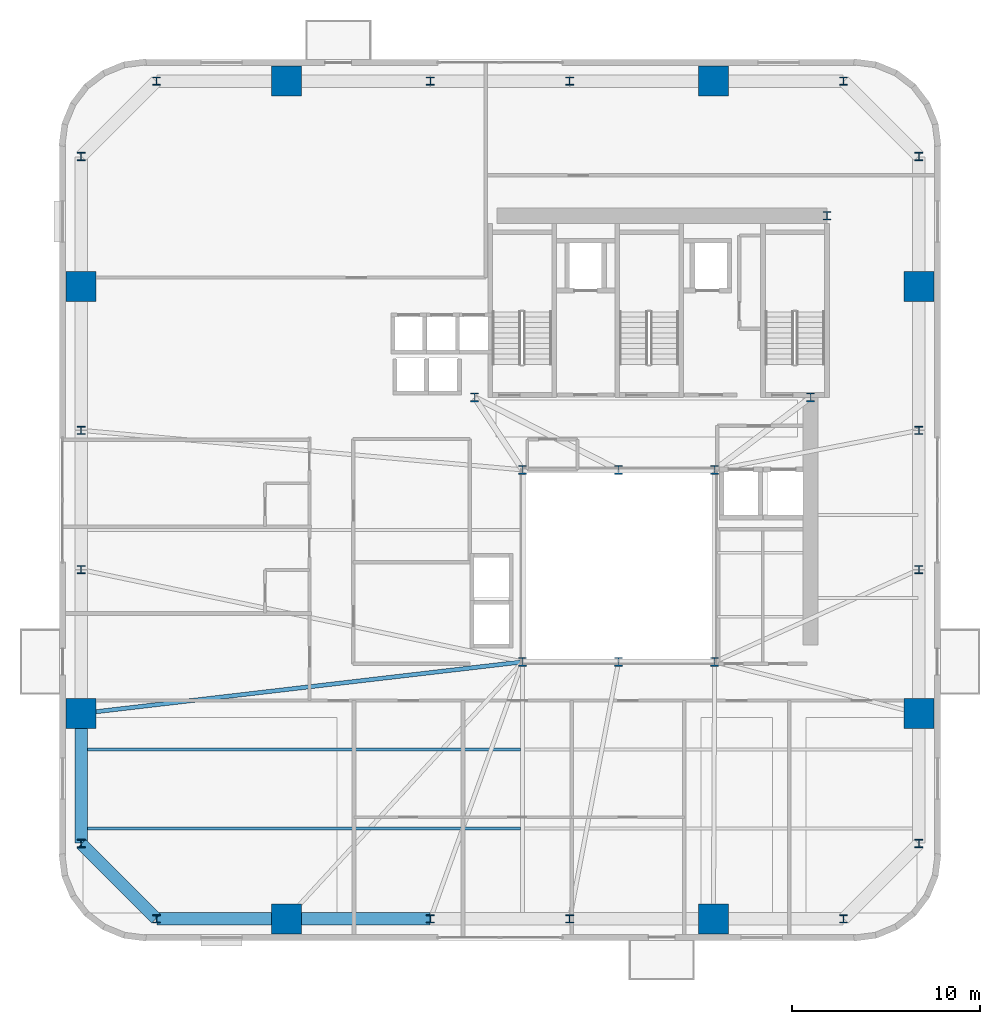
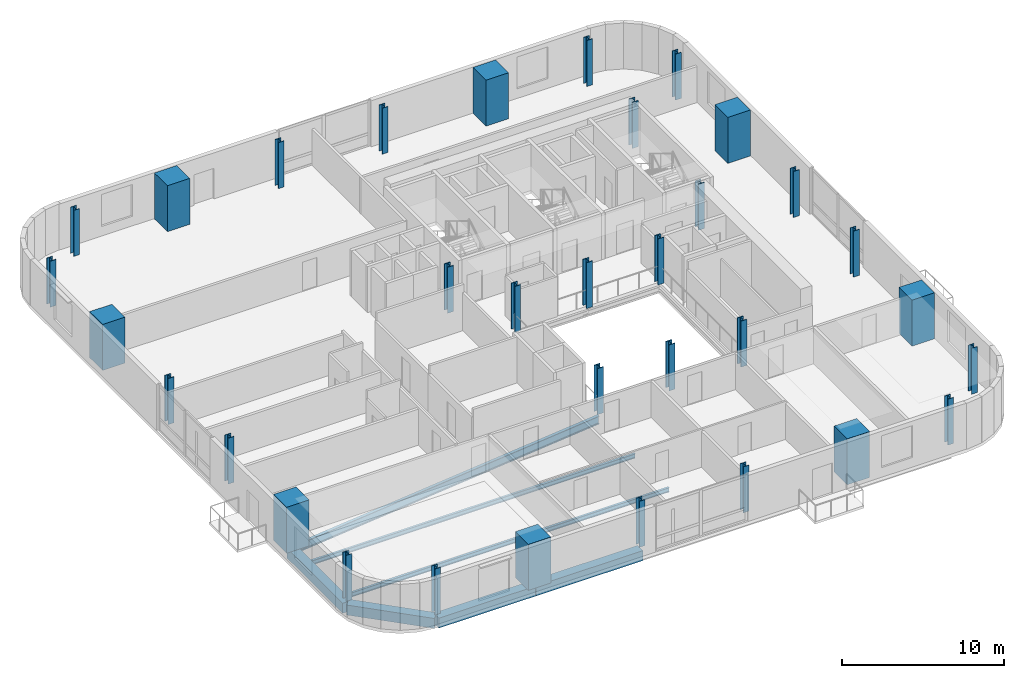
# One storey, part 1 of 14: 33 columns, 7 beams.
"""IFC4 building model written with IfcOpenShell, lengths in metres."""

from ifc_helpers import new_model, si_unit, direction, frame, origin, origin_2d, place, context, subcontext, project, spatial, rectangle, i_section, extrude, source, transform, mapped, material, material_profile, profile_set, type_object, element, save


model = new_model("IFC4")

# Units and contexts
model_context = context("Model", 3, precision=1e-05, world=origin(), true_north=direction((0.0, 1.0)))
body_context = subcontext(model_context, "Body", "Model", "MODEL_VIEW")
ifc_project = project(units=[si_unit("LENGTHUNIT", "METRE"), si_unit("AREAUNIT", "SQUARE_METRE"), si_unit("VOLUMEUNIT", "CUBIC_METRE"), si_unit("PLANEANGLEUNIT", "RADIAN"), si_unit("MASSUNIT", "GRAM", prefix="KILO")], contexts=[model_context])

# Site, building, storey
site_placement = place(None, origin())
site = spatial("IfcSite", under=ifc_project, at=site_placement, CompositionType="ELEMENT")
building_placement = place(site_placement, origin())
building = spatial("IfcBuilding", under=site, at=building_placement, Name="Vardaveli Station Tower", CompositionType="ELEMENT")
storey_placement = place(building_placement, frame((0.0, 0.0, 144.60009765625)))
storey = spatial("IfcBuildingStorey", under=building, at=storey_placement, Name="L37", CompositionType="ELEMENT", Elevation=144.60009765625)

# Columns
ifc_material_1 = material(Name="Structural steel S460M", Category="steel")
ifc_material_profile_1 = material_profile(ifc_material_1, i_section(OverallWidth=0.424072265625, OverallDepth=0.465087890625, WebThickness=0.034912109375, FlangeThickness=0.055908203125, FilletRadius=0.014892578125, at=origin_2d()), Name="HD 400x592")
ifc_profile_set_1 = profile_set([ifc_material_profile_1], Name="Structural steel S460M")
column_type_1 = type_object("IfcColumnType", Name="COL-HD592", PredefinedType="COLUMN", material=ifc_profile_set_1)
shared_shape_1 = source(origin(), body_context, "Body", "SweptSolid", [
    extrude(i_section(OverallWidth=0.424072265625, OverallDepth=0.465087890625, WebThickness=0.034912109375, FlangeThickness=0.055908203125, FilletRadius=0.014892578125, at=origin_2d()), origin(), (0.0, 0.0, 1.0), 3.4599609375),
])
for number, where, z_axis, x_axis, name in (
    (1, (31.199951171875, 16.60009765625, 0.0), (0.0, 0.0, 1.0), (1.0, 0.0, 0.0), "COL-L37-AC1"),
    (2, (36.300048828125, 16.60009765625, 0.0), (0.0, 0.0, 1.0), (1.0, 0.0, 0.0), "COL-L37-AC2"),
    (3, (41.39990234375, 16.60009765625, 0.0), (0.0, 0.0, 1.0), (1.0, 0.0, 0.0), "COL-L37-AC3"),
    (4, (41.39990234375, 26.800048828125, 0.0), (0.0, 0.0, 1.0), (1.0, 0.0, 0.0), "COL-L37-AC4"),
    (5, (36.300048828125, 26.800048828125, 0.0), (0.0, 0.0, 1.0), (1.0, 0.0, 0.0), "COL-L37-AC5"),
    (6, (31.199951171875, 26.800048828125, 0.0), (0.0, 0.0, 1.0), (1.0, 0.0, 0.0), "COL-L37-AC6"),
    (7, (28.64990234375, 30.64990234375, 0.0), (0.0, 0.0, 1.0), (1.0, 0.0, 0.0), "COL-L37-CC1"),
    (8, (46.5, 30.64990234375, 0.0), (0.0, 0.0, 1.0), (1.0, 0.0, 0.0), "COL-L37-CC2"),
    (9, (47.3701171875, 40.300048828125, 0.0), (0.0, 0.0, 1.0), (1.0, 0.0, 0.0), "COL-L37-CC3"),
):
    element("IfcColumn", number, at=place(storey_placement, frame(where, z_axis=z_axis, x_axis=x_axis)), inside=storey, type_object=column_type_1, Name=name, PredefinedType="COLUMN", context=body_context, shape_type="MappedRepresentation", body=[
        mapped(shared_shape_1, transform((0.0, 0.0, 0.0), scale=1.0)),
    ])
ifc_material_2 = material(Name="Concrete C60/75", Category="concrete")
ifc_material_profile_2 = material_profile(ifc_material_2, rectangle(XDim=1.60009765625, YDim=1.60009765625, at=origin_2d()), Name="MC 1600x1600")
ifc_profile_set_2 = profile_set([ifc_material_profile_2], Name="Concrete C60/75")
column_type_2 = type_object("IfcColumnType", Name="COL-MC-1600", PredefinedType="COLUMN", material=ifc_profile_set_2)
shared_shape_2 = source(origin(), body_context, "Body", "SweptSolid", [
    extrude(rectangle(XDim=1.60009765625, YDim=1.60009765625, at=origin_2d()), origin(), (0.0, 0.0, 1.0), 3.4599609375),
])
for number, where, z_axis, x_axis, name in (
    (10, (18.659912109375, 2.949951171875, 0.0), (0.0, 0.0, 1.0), (1.0, 0.0, 0.0), "COL-L37-MC1"),
    (11, (41.340087890625, 2.949951171875, 0.0), (0.0, 0.0, 1.0), (1.0, 0.0, 0.0), "COL-L37-MC2"),
    (12, (52.25, 13.860107421875, 0.0), (0.0, 0.0, 1.0), (1.0, 0.0, 0.0), "COL-L37-MC3"),
    (13, (52.25, 36.5400390625, 0.0), (0.0, 0.0, 1.0), (1.0, 0.0, 0.0), "COL-L37-MC4"),
    (14, (41.340087890625, 47.449951171875, 0.0), (0.0, 0.0, 1.0), (1.0, 0.0, 0.0), "COL-L37-MC5"),
    (15, (18.659912109375, 47.449951171875, 0.0), (0.0, 0.0, 1.0), (1.0, 0.0, 0.0), "COL-L37-MC6"),
    (16, (7.75, 36.5400390625, 0.0), (0.0, 0.0, 1.0), (1.0, 0.0, 0.0), "COL-L37-MC7"),
    (17, (7.75, 13.860107421875, 0.0), (0.0, 0.0, 1.0), (1.0, 0.0, 0.0), "COL-L37-MC8"),
):
    element("IfcColumn", number, at=place(storey_placement, frame(where, z_axis=z_axis, x_axis=x_axis)), inside=storey, type_object=column_type_2, Name=name, PredefinedType="COLUMN", context=body_context, shape_type="MappedRepresentation", body=[
        mapped(shared_shape_2, transform((0.0, 0.0, 0.0), scale=1.0)),
    ])
ifc_material_profile_3 = material_profile(ifc_material_1, i_section(OverallWidth=0.4140625, OverallDepth=0.431884765625, WebThickness=0.025634765625, FlangeThickness=0.0400390625, FilletRadius=0.014892578125, at=origin_2d()), Name="HD 400x421")
ifc_profile_set_3 = profile_set([ifc_material_profile_3], Name="Structural steel S460M")
column_type_3 = type_object("IfcColumnType", Name="COL-HD421", PredefinedType="COLUMN", material=ifc_profile_set_3)
shared_shape_3 = source(origin(), body_context, "Body", "SweptSolid", [
    extrude(i_section(OverallWidth=0.4140625, OverallDepth=0.431884765625, WebThickness=0.025634765625, FlangeThickness=0.0400390625, FilletRadius=0.014892578125, at=origin_2d()), origin(), (0.0, 0.0, 1.0), 3.4599609375),
])
for number, where, z_axis, x_axis, name in (
    (18, (11.75, 2.949951171875, 0.0), (0.0, 0.0, 1.0), (1.0, 0.0, 0.0), "COL-L37-PC01"),
    (19, (26.300048828125, 2.949951171875, 0.0), (0.0, 0.0, 1.0), (1.0, 0.0, 0.0), "COL-L37-PC02"),
    (20, (33.699951171875, 2.949951171875, 0.0), (0.0, 0.0, 1.0), (1.0, 0.0, 0.0), "COL-L37-PC03"),
    (21, (48.25, 2.949951171875, 0.0), (0.0, 0.0, 1.0), (1.0, 0.0, 0.0), "COL-L37-PC04"),
    (22, (52.25, 6.949951171875, 0.0), (0.0, 0.0, 1.0), (1.0, 0.0, 0.0), "COL-L37-PC05"),
    (23, (52.25, 21.5, 0.0), (0.0, 0.0, 1.0), (1.0, 0.0, 0.0), "COL-L37-PC06"),
    (24, (52.25, 28.89990234375, 0.0), (0.0, 0.0, 1.0), (1.0, 0.0, 0.0), "COL-L37-PC07"),
    (25, (52.25, 43.449951171875, 0.0), (0.0, 0.0, 1.0), (1.0, 0.0, 0.0), "COL-L37-PC08"),
    (26, (48.25, 47.449951171875, 0.0), (0.0, 0.0, 1.0), (1.0, 0.0, 0.0), "COL-L37-PC09"),
    (27, (33.699951171875, 47.449951171875, 0.0), (0.0, 0.0, 1.0), (1.0, 0.0, 0.0), "COL-L37-PC10"),
    (28, (26.300048828125, 47.449951171875, 0.0), (0.0, 0.0, 1.0), (1.0, 0.0, 0.0), "COL-L37-PC11"),
    (29, (11.75, 47.449951171875, 0.0), (0.0, 0.0, 1.0), (1.0, 0.0, 0.0), "COL-L37-PC12"),
    (30, (7.75, 43.449951171875, 0.0), (0.0, 0.0, 1.0), (1.0, 0.0, 0.0), "COL-L37-PC13"),
    (31, (7.75, 28.89990234375, 0.0), (0.0, 0.0, 1.0), (1.0, 0.0, 0.0), "COL-L37-PC14"),
    (32, (7.75, 21.5, 0.0), (0.0, 0.0, 1.0), (1.0, 0.0, 0.0), "COL-L37-PC15"),
    (33, (7.75, 6.949951171875, 0.0), (0.0, 0.0, 1.0), (1.0, 0.0, 0.0), "COL-L37-PC16"),
):
    element("IfcColumn", number, at=place(storey_placement, frame(where, z_axis=z_axis, x_axis=x_axis)), inside=storey, type_object=column_type_3, Name=name, PredefinedType="COLUMN", context=body_context, shape_type="MappedRepresentation", body=[
        mapped(shared_shape_3, transform((0.0, 0.0, 0.0), scale=1.0)),
    ])

# Beams
ifc_material_3 = material(Name="Precast concrete C45/55", Category="concrete")
ifc_material_profile_4 = material_profile(ifc_material_3, rectangle(XDim=0.64990234375, YDim=0.75, at=origin_2d()), Name="LPB 650x750")
ifc_profile_set_4 = profile_set([ifc_material_profile_4], Name="Precast concrete C45/55")
beam_type_1 = type_object("IfcBeamType", Name="BM-LPB-750", PredefinedType="BEAM", material=ifc_profile_set_4)
shared_shape_4 = source(origin(), body_context, "Body", "SweptSolid", [
    extrude(rectangle(XDim=0.64990234375, YDim=0.75, at=origin_2d()), origin(), (0.0, 0.0, 1.0), 7.60009765625),
])
beam_1_placement = place(storey_placement, frame((18.679931640625, 2.949951171875, -0.614990234375), z_axis=(1.0, 0.0, 0.0), x_axis=(0.0, 1.0, 0.0)))
element("IfcBeam", 34, at=beam_1_placement, inside=storey, type_object=beam_type_1, Name="RBM-L37-01", PredefinedType="BEAM", context=body_context, shape_type="MappedRepresentation", body=[
    mapped(shared_shape_4, transform((0.0, 0.0, 0.0), scale=1.0)),
])
shared_shape_5 = source(origin(), body_context, "Body", "SweptSolid", [
    extrude(rectangle(XDim=0.64990234375, YDim=0.75, at=origin_2d()), origin(), (0.0, 0.0, 1.0), 6.869873046875),
])
beam_2_placement = place(storey_placement, frame((11.77001953125, 2.949951171875, -0.614990234375), z_axis=(1.0, 0.0, 0.0), x_axis=(0.0, 1.0, 0.0)))
element("IfcBeam", 35, at=beam_2_placement, inside=storey, type_object=beam_type_1, Name="RBM-L37-24", PredefinedType="BEAM", context=body_context, shape_type="MappedRepresentation", body=[
    mapped(shared_shape_5, transform((0.0, 0.0, 0.0), scale=1.0)),
])
shared_shape_6 = source(origin(), body_context, "Body", "SweptSolid", [
    extrude(rectangle(XDim=0.64990234375, YDim=0.75, at=origin_2d()), origin(), (0.0, 0.0, 1.0), 5.61669921875),
])
beam_3_placement = place(storey_placement, frame((7.76416015625, 6.935791015625, -0.614990234375), z_axis=(0.707106781187, -0.707106781187, 0.0), x_axis=(0.707106781187, 0.707106781187, 0.0)))
element("IfcBeam", 36, at=beam_3_placement, inside=storey, type_object=beam_type_1, Name="RBM-L37-23", PredefinedType="BEAM", context=body_context, shape_type="MappedRepresentation", body=[
    mapped(shared_shape_6, transform((0.0, 0.0, 0.0), scale=1.0)),
])
shared_shape_7 = source(origin(), body_context, "Body", "SweptSolid", [
    extrude(rectangle(XDim=0.64990234375, YDim=0.75, at=origin_2d()), origin(), (0.0, 0.0, 1.0), 6.8701171875),
])
beam_4_placement = place(storey_placement, frame((7.75, 13.840087890625, -0.614990234375), z_axis=(0.0, -1.0, 0.0), x_axis=(1.0, 0.0, 0.0)))
element("IfcBeam", 37, at=beam_4_placement, inside=storey, type_object=beam_type_1, Name="RBM-L37-22", PredefinedType="BEAM", context=body_context, shape_type="MappedRepresentation", body=[
    mapped(shared_shape_7, transform((0.0, 0.0, 0.0), scale=1.0)),
])
ifc_material_4 = material(Name="Structural steel S355J2", Category="steel")
ifc_material_profile_5 = material_profile(ifc_material_4, i_section(OverallWidth=0.159912109375, OverallDepth=0.330078125, WebThickness=0.007568359375, FlangeThickness=0.011474609375, FilletRadius=0.01806640625, at=origin_2d()), Name="IPE 330")
ifc_profile_set_5 = profile_set([ifc_material_profile_5], Name="Structural steel S355J2")
beam_type_2 = type_object("IfcBeamType", Name="BM-IPE330", PredefinedType="JOIST", material=ifc_profile_set_5)
shared_shape_8 = source(origin(), body_context, "Body", "SweptSolid", [
    extrude(i_section(OverallWidth=0.159912109375, OverallDepth=0.330078125, WebThickness=0.007568359375, FlangeThickness=0.011474609375, FilletRadius=0.01806640625, at=origin_2d()), origin(), (0.0, 0.0, 1.0), 23.2978515625),
])
for number, where, z_axis, x_axis, name in (
    (38, (7.7900390625, 7.75, -0.405029296875), (1.0, 0.0, 0.0), (0.0, 1.0, 0.0), "SJ-L37-S01"),
    (39, (7.7900390625, 11.949951171875, -0.405029296875), (1.0, 0.0, 0.0), (0.0, 1.0, 0.0), "SJ-L37-S03"),
):
    element("IfcBeam", number, at=place(storey_placement, frame(where, z_axis=z_axis, x_axis=x_axis)), inside=storey, type_object=beam_type_2, Name=name, PredefinedType="JOIST", context=body_context, shape_type="MappedRepresentation", body=[
        mapped(shared_shape_8, transform((0.0, 0.0, 0.0), scale=1.0)),
    ])
ifc_material_profile_6 = material_profile(ifc_material_4, i_section(OverallWidth=0.219970703125, OverallDepth=0.60009765625, WebThickness=0.011962890625, FlangeThickness=0.01904296875, FilletRadius=0.02392578125, at=origin_2d()), Name="IPE 600")
ifc_profile_set_6 = profile_set([ifc_material_profile_6], Name="Structural steel S355J2")
beam_type_3 = type_object("IfcBeamType", Name="BM-IPE600", PredefinedType="BEAM", material=ifc_profile_set_6)
shared_shape_9 = source(origin(), body_context, "Body", "SweptSolid", [
    extrude(i_section(OverallWidth=0.219970703125, OverallDepth=0.60009765625, WebThickness=0.011962890625, FlangeThickness=0.01904296875, FilletRadius=0.02392578125, at=origin_2d()), origin(), (0.0, 0.0, 1.0), 23.569580078125),
])
beam_5_placement = place(storey_placement, frame((7.769775390625, 13.8623046875, -0.5400390625), z_axis=(0.993242915589, 0.11605391261, 0.0), x_axis=(-0.11605391261, 0.993242915589, 0.0)))
element("IfcBeam", 40, at=beam_5_placement, inside=storey, type_object=beam_type_3, Name="GBM-L37-10", PredefinedType="BEAM", context=body_context, shape_type="MappedRepresentation", body=[
    mapped(shared_shape_9, transform((0.0, 0.0, 0.0), scale=1.0)),
])

save(model, "model.ifc")
